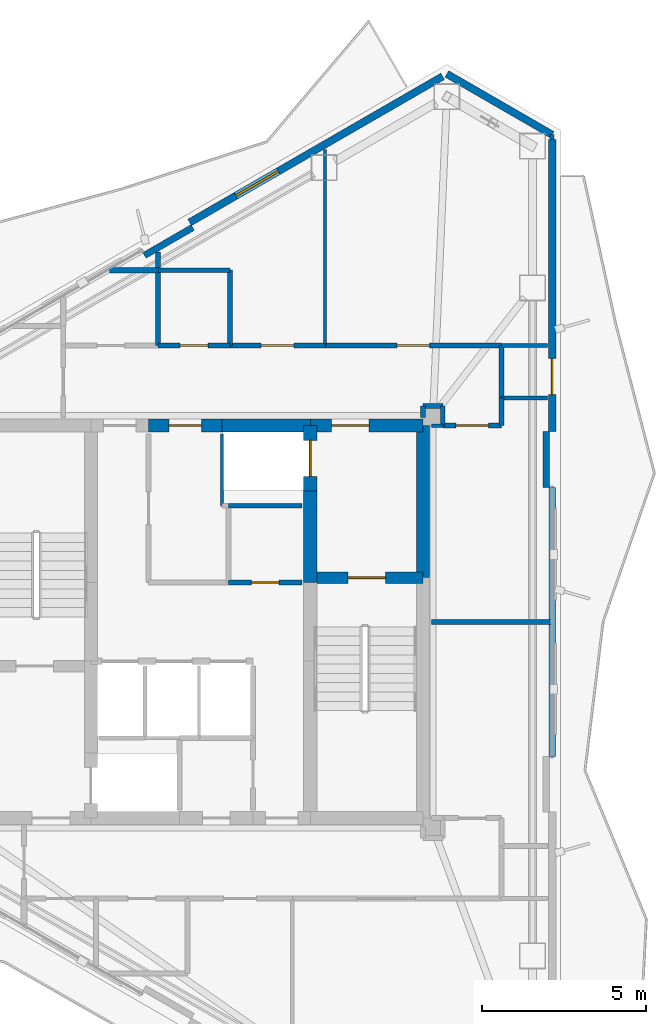
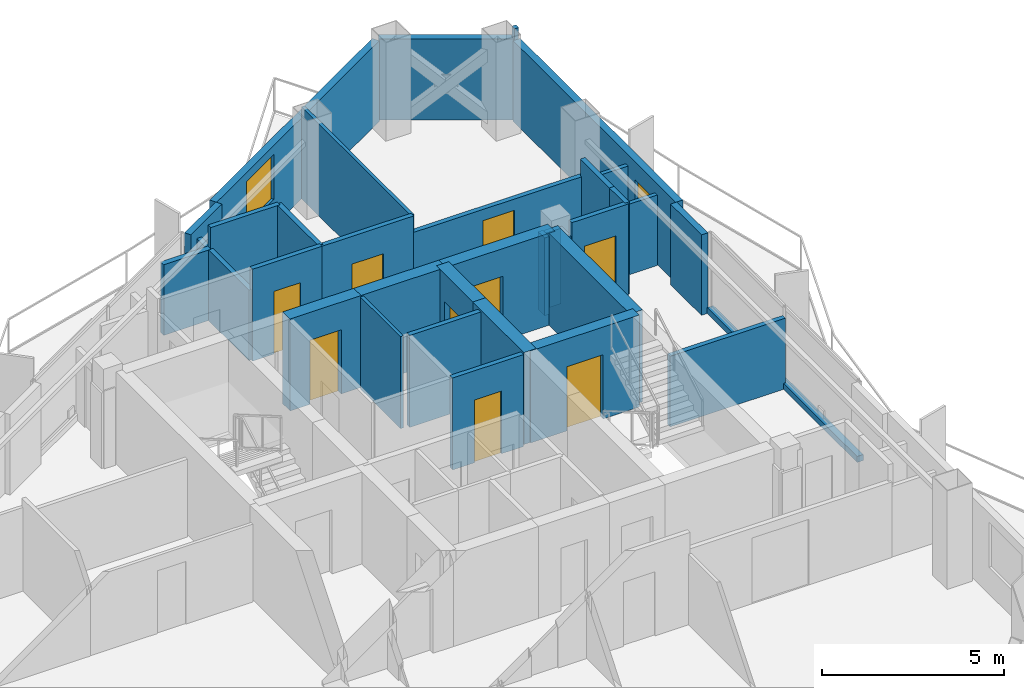
# One storey, part 16 of 18: 35 walls, 10 doors, 1 window, 11 openings.
"""IFC4 building model written with IfcOpenShell, lengths in metres."""

from ifc_helpers import new_model, si_unit, direction, frame, frame_2d, origin, place, context, subcontext, project, spatial, rectangle, extrude, material, layer, layer_set, type_object, element, fill, save


model = new_model("IFC4")

# Units and contexts
model_context = context("Model", 3, precision=1e-05, world=origin(), true_north=direction((0.0, 1.0)))
body_context = subcontext(model_context, "Body", "Model", "MODEL_VIEW")
ifc_project = project(units=[si_unit("LENGTHUNIT", "METRE"), si_unit("AREAUNIT", "SQUARE_METRE"), si_unit("VOLUMEUNIT", "CUBIC_METRE"), si_unit("PLANEANGLEUNIT", "RADIAN"), si_unit("MASSUNIT", "GRAM", prefix="KILO")], contexts=[model_context])

# Site, building, storey
site_placement = place(None, origin())
site = spatial("IfcSite", under=ifc_project, at=site_placement, CompositionType="ELEMENT")
building_placement = place(site_placement, origin())
building = spatial("IfcBuilding", under=site, at=building_placement, Name="Mersakhor Tower and Convention Hall", CompositionType="ELEMENT")
storey_placement = place(building_placement, frame((0.0, 0.0, 239.699951171875)))
storey = spatial("IfcBuildingStorey", under=building, at=storey_placement, Name="L67", CompositionType="ELEMENT", Elevation=239.699951171875)

# Wall
ifc_material_1 = material(Name="Precast concrete C40/50", Category="concrete")
ifc_layer_1 = layer(ifc_material_1, 0.22509765625)
ifc_layer_set_1 = layer_set([ifc_layer_1], Name="Precast concrete C40/50")
wall_type_1 = type_object("IfcWallType", Name="WL-EXT-225", PredefinedType="SOLIDWALL", material=ifc_layer_set_1)
wall_1_placement = place(storey_placement, frame((36.525146484375, 43.49951171875, 0.0), z_axis=(0.0, 0.0, 1.0), x_axis=(0.866038962515, -0.499976514854, 0.0)))
element("IfcWall", 1, at=wall_1_placement, inside=storey, type_object=wall_type_1, Name="L67 Chamfer Braced Spandrel Wall C1", PredefinedType="SOLIDWALL", context=body_context, shape_type="SweptSolid", body=[
    extrude(rectangle(XDim=3.715576171875, YDim=0.22509765625, at=frame_2d((1.85791015625, 0.0))), origin(), (0.0, 0.0, 1.0), 2.699951171875),
])

# Wall, opening, window
wall_2_placement = place(storey_placement, frame((28.66357421875, 38.96044921875, 0.0), z_axis=(0.0, 0.0, 1.0), x_axis=(0.866026655105, 0.499997832642, 0.0)))
wall_2 = element("IfcWall", 2, at=wall_2_placement, inside=storey, type_object=wall_type_1, Name="L67 Exterior Facade Wall F1-B3", PredefinedType="SOLIDWALL", context=body_context, shape_type="SweptSolid", body=[
    extrude(rectangle(XDim=8.927734375, YDim=0.22509765625, at=frame_2d((4.4638671875, 0.0))), origin(), (0.0, 0.0, 1.0), 2.699951171875),
])
opening_1_placement = place(wall_2_placement, frame((1.634033203125, 0.0, 0.89990234375)))
opening_1 = element("IfcOpeningElement", 3, at=opening_1_placement, cuts=wall_2, Name="Opening W-02", PredefinedType="OPENING", context=body_context, shape_type="SweptSolid", body=[
    extrude(rectangle(XDim=1.5, YDim=1.5, at=frame_2d((0.75, 0.75))), frame((0.0, 0.12255859375, 0.0), z_axis=(0.0, -1.0, 0.0), x_axis=(1.0, 0.0, 0.0)), (0.0, 0.0, 1.0), 0.2451171875),
])
ifc_material_2 = material(Name="Dark solar low-E glazed aluminium window", Category="aluminium")
window_type = type_object("IfcWindowType", Name="WN-RES-150x150", PartitioningType="SINGLE_PANEL", PredefinedType="WINDOW", material=ifc_material_2)
window_placement = place(opening_1_placement, origin())
window = element("IfcWindow", 4, at=window_placement, inside=storey, type_object=window_type, Name="L67 Facade Punched Window F1-B3", OverallHeight=1.5, OverallWidth=1.5, PartitioningType="SINGLE_PANEL", PredefinedType="WINDOW", context=body_context, shape_type="SweptSolid", body=[
    extrude(rectangle(XDim=1.5, YDim=1.5, at=frame_2d((0.75, 0.75))), frame((0.0, 0.030029296875, 0.0), z_axis=(0.0, -1.0, 0.0), x_axis=(1.0, 0.0, 0.0)), (0.0, 0.0, 1.0), 0.06005859375),
])
fill(opening_1, window)

# Wall, opening, door
wall_3_placement = place(storey_placement, frame((39.742919921875, 41.49169921875, 0.0), z_axis=(0.0, 0.0, 1.0), x_axis=(0.0, -1.0, 0.0)))
wall_3 = element("IfcWall", 5, at=wall_3_placement, inside=storey, type_object=wall_type_1, Name="L67 Exterior Facade Wall F2-B1", PredefinedType="SOLIDWALL", context=body_context, shape_type="SweptSolid", body=[
    extrude(rectangle(XDim=8.927734375, YDim=0.22509765625, at=frame_2d((4.4638671875, 0.0))), origin(), (0.0, 0.0, 1.0), 2.699951171875),
])
opening_2_placement = place(wall_3_placement, frame((6.696044921875, 0.0, 0.0)))
opening_2 = element("IfcOpeningElement", 6, at=opening_2_placement, cuts=wall_3, Name="Opening BD-02", PredefinedType="OPENING", context=body_context, shape_type="SweptSolid", body=[
    extrude(rectangle(XDim=1.10009765625, YDim=2.10009765625, at=frame_2d((0.550048828125, 1.050048828125))), frame((0.0, 0.12255859375, 0.0), z_axis=(0.0, -1.0, 0.0), x_axis=(1.0, 0.0, 0.0)), (0.0, 0.0, 1.0), 0.2451171875),
])
ifc_material_3 = material(Name="Thermally broken dark aluminium and safety glass", Category="aluminium")
door_type_1 = type_object("IfcDoorType", Name="DR-BAL-110x210", OperationType="NOTDEFINED", PredefinedType="DOOR", material=ifc_material_3)
door_1_placement = place(opening_2_placement, origin())
door_1 = element("IfcDoor", 7, at=door_1_placement, inside=storey, type_object=door_type_1, Name="L67 Balcony Terrace Door F2-B1", OperationType="SINGLE_SWING_RIGHT", OverallHeight=2.10009765625, OverallWidth=1.10009765625, PredefinedType="DOOR", context=body_context, shape_type="SweptSolid", body=[
    extrude(rectangle(XDim=1.10009765625, YDim=2.10009765625, at=frame_2d((0.550048828125, 1.050048828125))), frame((0.0, 0.02490234375, 0.0), z_axis=(0.0, -1.0, 0.0), x_axis=(1.0, 0.0, 0.0)), (0.0, 0.0, 1.0), 0.050048828125),
])
fill(opening_2, door_1)

# Walls
ifc_material_4 = material(Name="Precast concrete C40/50", Category="concrete")
ifc_layer_2 = layer(ifc_material_4, 0.199951171875)
ifc_layer_set_2 = layer_set([ifc_layer_2], Name="Precast concrete C40/50")
wall_type_2 = type_object("IfcWallType", Name="WL-PAR-200", PredefinedType="PARAPET", material=ifc_layer_set_2)
wall_4_placement = place(storey_placement, frame((27.28125, 37.95458984375, 0.0), z_axis=(0.0, 0.0, 1.0), x_axis=(0.866025371046, 0.500000056704, 0.0)))
element("IfcWall", 8, at=wall_4_placement, inside=storey, type_object=wall_type_2, Name="L67 Column Pier Cladding Wall F1-C2", PredefinedType="PARAPET", context=body_context, shape_type="SweptSolid", body=[
    extrude(rectangle(XDim=1.7001953125, YDim=0.199951171875, at=frame_2d((0.85009765625, 0.0))), origin(), (0.0, 0.0, 1.0), 2.699951171875),
])
wall_5_placement = place(storey_placement, frame((39.742919921875, 30.864013671875, 0.0), z_axis=(0.0, 0.0, 1.0), x_axis=(0.0, -1.0, 0.0)))
element("IfcWall", 9, at=wall_5_placement, inside=storey, type_object=wall_type_2, Name="L67 Curtain Wall Upstand Sill F2-B2", PredefinedType="PARAPET", context=body_context, shape_type="SweptSolid", body=[
    extrude(rectangle(XDim=8.22802734375, YDim=0.199951171875, at=frame_2d((4.114013671875, 0.0))), origin(), (0.0, 0.0, 1.0), 0.199951171875),
])
wall_6_placement = place(storey_placement, frame((39.562744140625, 32.56396484375, 0.0), z_axis=(0.0, 0.0, 1.0), x_axis=(0.0, -1.0, 0.0)))
element("IfcWall", 10, at=wall_6_placement, inside=storey, type_object=wall_type_2, Name="L67 Column Pier Cladding Wall F2-C1", PredefinedType="PARAPET", context=body_context, shape_type="SweptSolid", body=[
    extrude(rectangle(XDim=1.699951171875, YDim=0.199951171875, at=frame_2d((0.85009765625, 0.0))), origin(), (0.0, 0.0, 1.0), 2.699951171875),
])
ifc_material_5 = material(Name="Moisture-resistant acoustic drywall studwork", Category="other")
ifc_layer_3 = layer(ifc_material_5, 0.175048828125)
ifc_layer_set_3 = layer_set([ifc_layer_3], Name="Moisture-resistant acoustic drywall studwork")
wall_type_3 = type_object("IfcWallType", Name="WL-PLM-175", PredefinedType="PLUMBINGWALL", material=ifc_layer_set_3)
wall_7_placement = place(storey_placement, frame((26.20654296875, 37.5, 0.0), z_axis=(0.0, 0.0, 1.0), x_axis=(1.0, 0.0, 0.0)))
element("IfcWall", 11, at=wall_7_placement, inside=storey, type_object=wall_type_3, Name="L67 Interior Partition Wall P-041", PredefinedType="PLUMBINGWALL", context=body_context, shape_type="SweptSolid", body=[
    extrude(rectangle(XDim=1.493408203125, YDim=0.175048828125, at=frame_2d((0.74658203125, 0.0))), origin(), (0.0, 0.0, 1.0), 2.364990234375),
])
ifc_material_6 = material(Name="Lightweight gypsum partition", Category="other")
ifc_layer_4 = layer(ifc_material_6, 0.10009765625)
ifc_layer_set_4 = layer_set([ifc_layer_4], Name="Lightweight gypsum partition")
wall_type_4 = type_object("IfcWallType", Name="WL-PRT-100", PredefinedType="PARTITIONING", material=ifc_layer_set_4)
wall_8_placement = place(storey_placement, frame((29.64990234375, 30.300048828125, 0.0), z_axis=(0.0, 0.0, 1.0), x_axis=(0.0, 1.0, 0.0)))
element("IfcWall", 12, at=wall_8_placement, inside=storey, type_object=wall_type_4, Name="L67 Interior Partition Wall P-006", PredefinedType="PARTITIONING", context=body_context, shape_type="SweptSolid", body=[
    extrude(rectangle(XDim=2.199951171875, YDim=0.10009765625, at=frame_2d((1.10009765625, 0.0))), origin(), (0.0, 0.0, 1.0), 3.080078125),
])
wall_9_placement = place(storey_placement, frame((32.800048828125, 35.199951171875, 0.0), z_axis=(0.0, 0.0, 1.0), x_axis=(0.0, 1.0, 0.0)))
element("IfcWall", 13, at=wall_9_placement, inside=storey, type_object=wall_type_4, Name="L67 Interior Partition Wall P-046", PredefinedType="PARTITIONING", context=body_context, shape_type="SweptSolid", body=[
    extrude(rectangle(XDim=5.990966796875, YDim=0.10009765625, at=frame_2d((2.99560546875, 0.0))), origin(), (0.0, 0.0, 1.0), 3.080078125),
])
wall_10_placement = place(storey_placement, frame((36.050048828125, 32.75, 0.0), z_axis=(0.0, 0.0, 1.0), x_axis=(1.0, 0.0, 0.0)))
element("IfcWall", 14, at=wall_10_placement, inside=storey, type_object=wall_type_4, Name="L67 Interior Partition Wall P-054", PredefinedType="PARTITIONING", context=body_context, shape_type="SweptSolid", body=[
    extrude(rectangle(XDim=0.349853515625, YDim=0.10009765625, at=frame_2d((0.1748046875, 0.0))), origin(), (0.0, 0.0, 1.0), 2.60498046875),
])
ifc_material_7 = material(Name="Gypsum board acoustic partition", Category="other")
ifc_layer_5 = layer(ifc_material_7, 0.125)
ifc_layer_set_5 = layer_set([ifc_layer_5], Name="Gypsum board acoustic partition")
wall_type_5 = type_object("IfcWallType", Name="WL-PRT-125", PredefinedType="PARTITIONING", material=ifc_layer_set_5)
wall_11_placement = place(storey_placement, frame((39.606201171875, 35.199951171875, 0.0), z_axis=(0.0, 0.0, 1.0), x_axis=(-1.0, 0.0, 0.0)))
element("IfcWall", 15, at=wall_11_placement, inside=storey, type_object=wall_type_5, Name="L67 Interior Partition Wall P-045", PredefinedType="PARTITIONING", context=body_context, shape_type="SweptSolid", body=[
    extrude(rectangle(XDim=1.40625, YDim=0.125, at=frame_2d((0.703125, 0.0))), origin(), (0.0, 0.0, 1.0), 2.364990234375),
])
wall_12_placement = place(storey_placement, frame((39.742919921875, 41.64208984375, 0.0), z_axis=(0.0, 0.0, 1.0), x_axis=(0.0, -1.0, 0.0)))
element("IfcWall", 16, at=wall_12_placement, inside=storey, type_object=wall_type_5, Name="L67 Interior Partition Wall P-047", PredefinedType="PARTITIONING", context=body_context, shape_type="SweptSolid", body=[
    extrude(rectangle(XDim=0.150390625, YDim=0.125, at=frame_2d((0.0751953125, 0.0))), origin(), (0.0, 0.0, 1.0), 3.080078125),
])
wall_13_placement = place(storey_placement, frame((38.199951171875, 33.60009765625, 0.0), z_axis=(0.0, 0.0, 1.0), x_axis=(1.0, 0.0, 0.0)))
element("IfcWall", 17, at=wall_13_placement, inside=storey, type_object=wall_type_5, Name="L67 Interior Partition Wall P-055", PredefinedType="PARTITIONING", context=body_context, shape_type="SweptSolid", body=[
    extrude(rectangle(XDim=1.40625, YDim=0.125, at=frame_2d((0.703125, 0.0))), origin(), (0.0, 0.0, 1.0), 2.364990234375),
])
ifc_material_8 = material(Name="Fire-rated gypsum board stud partition", Category="other")
ifc_layer_6 = layer(ifc_material_8, 0.14990234375)
ifc_layer_set_6 = layer_set([ifc_layer_6], Name="Fire-rated gypsum board stud partition")
wall_type_6 = type_object("IfcWallType", Name="WL-PRT-150", PredefinedType="PARTITIONING", material=ifc_layer_set_6)
wall_14_placement = place(storey_placement, frame((32.10009765625, 30.300048828125, 0.0), z_axis=(0.0, 0.0, 1.0), x_axis=(-1.0, 0.0, 0.0)))
element("IfcWall", 18, at=wall_14_placement, inside=storey, type_object=wall_type_6, Name="L67 Interior Partition Wall P-004", PredefinedType="PARTITIONING", context=body_context, shape_type="SweptSolid", body=[
    extrude(rectangle(XDim=2.25, YDim=0.14990234375, at=frame_2d((1.125, 0.0))), origin(), (0.0, 0.0, 1.0), 3.080078125),
])

# Wall, opening, door
wall_15_placement = place(storey_placement, frame((29.85009765625, 27.949951171875, 0.0), z_axis=(0.0, 0.0, 1.0), x_axis=(1.0, 0.0, 0.0)))
wall_15 = element("IfcWall", 19, at=wall_15_placement, inside=storey, type_object=wall_type_6, Name="L67 Interior Partition Wall P-015", PredefinedType="PARTITIONING", context=body_context, shape_type="SweptSolid", body=[
    extrude(rectangle(XDim=2.25, YDim=0.14990234375, at=frame_2d((1.125, 0.0))), origin(), (0.0, 0.0, 1.0), 3.080078125),
])
opening_3_placement = place(wall_15_placement, frame((0.699951171875, 0.0, 0.0)))
opening_3 = element("IfcOpeningElement", 20, at=opening_3_placement, cuts=wall_15, Name="Opening SVD-01", PredefinedType="OPENING", context=body_context, shape_type="SweptSolid", body=[
    extrude(rectangle(XDim=0.85009765625, YDim=2.10009765625, at=frame_2d((0.425048828125, 1.050048828125))), frame((0.0, 0.0849609375, 0.0), z_axis=(0.0, -1.0, 0.0), x_axis=(1.0, 0.0, 0.0)), (0.0, 0.0, 1.0), 0.169921875),
])
ifc_material_9 = material(Name="Fire-rated hardwood leaf and painted steel frame", Category="steel")
door_type_2 = type_object("IfcDoorType", Name="DR-INT-SVC-085x210", OperationType="NOTDEFINED", PredefinedType="DOOR", material=ifc_material_9)
door_2_placement = place(opening_3_placement, origin())
door_2 = element("IfcDoor", 21, at=door_2_placement, inside=storey, type_object=door_type_2, Name="L67 Central Passenger Lift Lobby to Resident Pram and Linen Store Room Door", OperationType="SINGLE_SWING_RIGHT", OverallHeight=2.10009765625, OverallWidth=0.85009765625, PredefinedType="DOOR", context=body_context, shape_type="SweptSolid", body=[
    extrude(rectangle(XDim=0.85009765625, YDim=2.10009765625, at=frame_2d((0.425048828125, 1.050048828125))), frame((0.0, 0.02490234375, 0.0), z_axis=(0.0, -1.0, 0.0), x_axis=(1.0, 0.0, 0.0)), (0.0, 0.0, 1.0), 0.050048828125),
])
fill(opening_3, door_2)

wall_16_placement = place(storey_placement, frame((27.699951171875, 35.199951171875, 0.0), z_axis=(0.0, 0.0, 1.0), x_axis=(1.0, 0.0, 0.0)))
wall_16 = element("IfcWall", 22, at=wall_16_placement, inside=storey, type_object=wall_type_6, Name="L67 Interior Partition Wall P-017", PredefinedType="PARTITIONING", context=body_context, shape_type="SweptSolid", body=[
    extrude(rectangle(XDim=2.199951171875, YDim=0.14990234375, at=frame_2d((1.10009765625, 0.0))), origin(), (0.0, 0.0, 1.0), 3.080078125),
])
opening_4_placement = place(wall_16_placement, frame((0.675048828125, 0.0, 0.0)))
opening_4 = element("IfcOpeningElement", 23, at=opening_4_placement, cuts=wall_16, Name="Opening SVD-01", PredefinedType="OPENING", context=body_context, shape_type="SweptSolid", body=[
    extrude(rectangle(XDim=0.85009765625, YDim=2.10009765625, at=frame_2d((0.425048828125, 1.050048828125))), frame((0.0, 0.0849609375, 0.0), z_axis=(0.0, -1.0, 0.0), x_axis=(1.0, 0.0, 0.0)), (0.0, 0.0, 1.0), 0.169921875),
])
door_3_placement = place(opening_4_placement, origin())
door_3 = element("IfcDoor", 24, at=door_3_placement, inside=storey, type_object=door_type_2, Name="L67 Residential North Gallery Corridor to L67 Floor Household Store Room 1-2 Door", OperationType="SINGLE_SWING_RIGHT", OverallHeight=2.10009765625, OverallWidth=0.85009765625, PredefinedType="DOOR", context=body_context, shape_type="SweptSolid", body=[
    extrude(rectangle(XDim=0.85009765625, YDim=2.10009765625, at=frame_2d((0.425048828125, 1.050048828125))), frame((0.0, 0.02490234375, 0.0), z_axis=(0.0, -1.0, 0.0), x_axis=(1.0, 0.0, 0.0)), (0.0, 0.0, 1.0), 0.050048828125),
])
fill(opening_4, door_3)

wall_17_placement = place(storey_placement, frame((29.89990234375, 35.199951171875, 0.0), z_axis=(0.0, 0.0, 1.0), x_axis=(1.0, 0.0, 0.0)))
wall_17 = element("IfcWall", 25, at=wall_17_placement, inside=storey, type_object=wall_type_6, Name="L67 Interior Partition Wall P-018", PredefinedType="PARTITIONING", context=body_context, shape_type="SweptSolid", body=[
    extrude(rectangle(XDim=2.900146484375, YDim=0.14990234375, at=frame_2d((1.4501953125, 0.0))), origin(), (0.0, 0.0, 1.0), 3.080078125),
])
opening_5_placement = place(wall_17_placement, frame((0.949951171875, 0.0, 0.0)))
opening_5 = element("IfcOpeningElement", 26, at=opening_5_placement, cuts=wall_17, Name="Opening FD-01", PredefinedType="OPENING", context=body_context, shape_type="SweptSolid", body=[
    extrude(rectangle(XDim=1.0, YDim=2.14990234375, at=frame_2d((0.5, 1.074951171875))), frame((0.0, 0.0849609375, 0.0), z_axis=(0.0, -1.0, 0.0), x_axis=(1.0, 0.0, 0.0)), (0.0, 0.0, 1.0), 0.169921875),
])
ifc_material_10 = material(Name="Fire-rated hardwood leaf and painted steel frame", Category="steel")
door_type_3 = type_object("IfcDoorType", Name="DR-INT-FLT-100x215", OperationType="NOTDEFINED", PredefinedType="DOOR", material=ifc_material_10)
door_4_placement = place(opening_5_placement, origin())
door_4 = element("IfcDoor", 27, at=door_4_placement, inside=storey, type_object=door_type_3, Name="L67 Residential North Gallery Corridor to L67 Floor Shared Tea Pantry 1-3 Door", OperationType="SINGLE_SWING_LEFT", OverallHeight=2.14990234375, OverallWidth=1.0, PredefinedType="DOOR", context=body_context, shape_type="SweptSolid", body=[
    extrude(rectangle(XDim=1.0, YDim=2.14990234375, at=frame_2d((0.5, 1.074951171875))), frame((0.0, 0.02490234375, 0.0), z_axis=(0.0, -1.0, 0.0), x_axis=(1.0, 0.0, 0.0)), (0.0, 0.0, 1.0), 0.050048828125),
])
fill(opening_5, door_4)

wall_18_placement = place(storey_placement, frame((32.800048828125, 35.199951171875, 0.0), z_axis=(0.0, 0.0, 1.0), x_axis=(1.0, 0.0, 0.0)))
wall_18 = element("IfcWall", 28, at=wall_18_placement, inside=storey, type_object=wall_type_6, Name="L67 Interior Partition Wall P-019", PredefinedType="PARTITIONING", context=body_context, shape_type="SweptSolid", body=[
    extrude(rectangle(XDim=5.39990234375, YDim=0.14990234375, at=frame_2d((2.699951171875, 0.0))), origin(), (0.0, 0.0, 1.0), 2.5283203125),
])
opening_6_placement = place(wall_18_placement, frame((2.199951171875, 0.0, 0.0)))
opening_6 = element("IfcOpeningElement", 29, at=opening_6_placement, cuts=wall_18, Name="Opening FD-01", PredefinedType="OPENING", context=body_context, shape_type="SweptSolid", body=[
    extrude(rectangle(XDim=1.0, YDim=2.14990234375, at=frame_2d((0.5, 1.074951171875))), frame((0.0, 0.0849609375, 0.0), z_axis=(0.0, -1.0, 0.0), x_axis=(1.0, 0.0, 0.0)), (0.0, 0.0, 1.0), 0.169921875),
])
door_5_placement = place(opening_6_placement, origin())
door_5 = element("IfcDoor", 30, at=door_5_placement, inside=storey, type_object=door_type_3, Name="L67 Residential North Gallery Corridor to L67 North-East Co-Working Office Door", OperationType="SINGLE_SWING_RIGHT", OverallHeight=2.14990234375, OverallWidth=1.0, PredefinedType="DOOR", context=body_context, shape_type="SweptSolid", body=[
    extrude(rectangle(XDim=1.0, YDim=2.14990234375, at=frame_2d((0.5, 1.074951171875))), frame((0.0, 0.02490234375, 0.0), z_axis=(0.0, -1.0, 0.0), x_axis=(1.0, 0.0, 0.0)), (0.0, 0.0, 1.0), 0.050048828125),
])
fill(opening_6, door_5)

# Walls
wall_19_placement = place(storey_placement, frame((38.199951171875, 35.199951171875, 0.0), z_axis=(0.0, 0.0, 1.0), x_axis=(0.0, -1.0, 0.0)))
element("IfcWall", 31, at=wall_19_placement, inside=storey, type_object=wall_type_6, Name="L67 Interior Partition Wall P-020", PredefinedType="PARTITIONING", context=body_context, shape_type="SweptSolid", body=[
    extrude(rectangle(XDim=1.599853515625, YDim=0.14990234375, at=frame_2d((0.7998046875, 0.0))), origin(), (0.0, 0.0, 1.0), 3.080078125),
])
wall_20_placement = place(storey_placement, frame((38.199951171875, 33.60009765625, 0.0), z_axis=(0.0, 0.0, 1.0), x_axis=(0.0, -1.0, 0.0)))
element("IfcWall", 32, at=wall_20_placement, inside=storey, type_object=wall_type_6, Name="L67 Interior Partition Wall P-021", PredefinedType="PARTITIONING", context=body_context, shape_type="SweptSolid", body=[
    extrude(rectangle(XDim=0.85009765625, YDim=0.14990234375, at=frame_2d((0.425048828125, 0.0))), origin(), (0.0, 0.0, 1.0), 3.080078125),
])

# Wall, opening, door
wall_21_placement = place(storey_placement, frame((38.199951171875, 32.75, 0.0), z_axis=(0.0, 0.0, 1.0), x_axis=(-1.0, 0.0, 0.0)))
wall_21 = element("IfcWall", 33, at=wall_21_placement, inside=storey, type_object=wall_type_6, Name="L67 Interior Partition Wall P-022", PredefinedType="PARTITIONING", context=body_context, shape_type="SweptSolid", body=[
    extrude(rectangle(XDim=1.800048828125, YDim=0.14990234375, at=frame_2d((0.89990234375, 0.0))), origin(), (0.0, 0.0, 1.0), 3.080078125),
])
opening_7_placement = place(wall_21_placement, frame((0.39990234375, 0.0, 0.0)))
opening_7 = element("IfcOpeningElement", 34, at=opening_7_placement, cuts=wall_21, Name="Opening FD-01", PredefinedType="OPENING", context=body_context, shape_type="SweptSolid", body=[
    extrude(rectangle(XDim=1.0, YDim=2.14990234375, at=frame_2d((0.5, 1.074951171875))), frame((0.0, 0.0849609375, 0.0), z_axis=(0.0, -1.0, 0.0), x_axis=(1.0, 0.0, 0.0)), (0.0, 0.0, 1.0), 0.169921875),
])
door_6_placement = place(opening_7_placement, origin())
door_6 = element("IfcDoor", 35, at=door_6_placement, inside=storey, type_object=door_type_3, Name="L67 Residential North Gallery Corridor to L67 East Crown Sky Study Lounge Door", OperationType="SINGLE_SWING_LEFT", OverallHeight=2.14990234375, OverallWidth=1.0, PredefinedType="DOOR", context=body_context, shape_type="SweptSolid", body=[
    extrude(rectangle(XDim=1.0, YDim=2.14990234375, at=frame_2d((0.5, 1.074951171875))), frame((0.0, 0.02490234375, 0.0), z_axis=(0.0, -1.0, 0.0), x_axis=(1.0, 0.0, 0.0)), (0.0, 0.0, 1.0), 0.050048828125),
])
fill(opening_7, door_6)

# Walls
wall_22_placement = place(storey_placement, frame((36.39990234375, 32.75, 0.0), z_axis=(0.0, 0.0, 1.0), x_axis=(0.0, 1.0, 0.0)))
element("IfcWall", 36, at=wall_22_placement, inside=storey, type_object=wall_type_6, Name="L67 Interior Partition Wall P-023", PredefinedType="PARTITIONING", context=body_context, shape_type="SweptSolid", body=[
    extrude(rectangle(XDim=0.60009765625, YDim=0.14990234375, at=frame_2d((0.300048828125, 0.0))), origin(), (0.0, 0.0, 1.0), 2.5283203125),
])
wall_23_placement = place(storey_placement, frame((36.39990234375, 33.35009765625, 0.0), z_axis=(0.0, 0.0, 1.0), x_axis=(-1.0, 0.0, 0.0)))
element("IfcWall", 37, at=wall_23_placement, inside=storey, type_object=wall_type_6, Name="L67 Interior Partition Wall P-024", PredefinedType="PARTITIONING", context=body_context, shape_type="SweptSolid", body=[
    extrude(rectangle(XDim=0.599853515625, YDim=0.14990234375, at=frame_2d((0.2998046875, 0.0))), origin(), (0.0, 0.0, 1.0), 2.5283203125),
])
wall_24_placement = place(storey_placement, frame((35.800048828125, 33.35009765625, 0.0), z_axis=(0.0, 0.0, 1.0), x_axis=(0.0, -1.0, 0.0)))
element("IfcWall", 38, at=wall_24_placement, inside=storey, type_object=wall_type_6, Name="L67 Interior Partition Wall P-025", PredefinedType="PARTITIONING", context=body_context, shape_type="SweptSolid", body=[
    extrude(rectangle(XDim=0.35009765625, YDim=0.14990234375, at=frame_2d((0.175048828125, 0.0))), origin(), (0.0, 0.0, 1.0), 2.60498046875),
])
wall_25_placement = place(storey_placement, frame((27.699951171875, 38.052978515625, 0.0), z_axis=(0.0, 0.0, 1.0), x_axis=(0.0, -1.0, 0.0)))
element("IfcWall", 39, at=wall_25_placement, inside=storey, type_object=wall_type_6, Name="L67 Interior Partition Wall P-038", PredefinedType="PARTITIONING", context=body_context, shape_type="SweptSolid", body=[
    extrude(rectangle(XDim=2.85302734375, YDim=0.14990234375, at=frame_2d((1.426513671875, 0.0))), origin(), (0.0, 0.0, 1.0), 2.364990234375),
])
wall_26_placement = place(storey_placement, frame((39.702880859375, 26.75, 0.0), z_axis=(0.0, 0.0, 1.0), x_axis=(-1.0, 0.0, 0.0)))
element("IfcWall", 40, at=wall_26_placement, inside=storey, type_object=wall_type_6, Name="L67 Interior Partition Wall P-056", PredefinedType="PARTITIONING", context=body_context, shape_type="SweptSolid", body=[
    extrude(rectangle(XDim=3.65283203125, YDim=0.14990234375, at=frame_2d((1.826416015625, 0.0))), origin(), (0.0, 0.0, 1.0), 2.364990234375),
])
wall_27_placement = place(storey_placement, frame((27.699951171875, 37.5, 0.0), z_axis=(0.0, 0.0, 1.0), x_axis=(1.0, 0.0, 0.0)))
element("IfcWall", 41, at=wall_27_placement, inside=storey, type_object=wall_type_6, Name="L67 Interior Partition Wall P-059", PredefinedType="PARTITIONING", context=body_context, shape_type="SweptSolid", body=[
    extrude(rectangle(XDim=2.199951171875, YDim=0.14990234375, at=frame_2d((1.10009765625, 0.0))), origin(), (0.0, 0.0, 1.0), 3.080078125),
])
wall_28_placement = place(storey_placement, frame((29.89990234375, 37.5, 0.0), z_axis=(0.0, 0.0, 1.0), x_axis=(0.0, -1.0, 0.0)))
element("IfcWall", 42, at=wall_28_placement, inside=storey, type_object=wall_type_6, Name="L67 Interior Partition Wall P-060", PredefinedType="PARTITIONING", context=body_context, shape_type="SweptSolid", body=[
    extrude(rectangle(XDim=2.300048828125, YDim=0.14990234375, at=frame_2d((1.14990234375, 0.0))), origin(), (0.0, 0.0, 1.0), 3.080078125),
])

# Wall, opening, door
ifc_material_11 = material(Name="Concrete C50/60", Category="concrete")
ifc_layer_7 = layer(ifc_material_11, 0.35009765625)
ifc_layer_set_7 = layer_set([ifc_layer_7], Name="Concrete C50/60")
wall_type_7 = type_object("IfcWallType", Name="WL-SHR-350", PredefinedType="SHEAR", material=ifc_layer_set_7)
wall_29_placement = place(storey_placement, frame((32.35009765625, 28.10009765625, 0.0), z_axis=(0.0, 0.0, 1.0), x_axis=(1.0, 0.0, 0.0)))
wall_29 = element("IfcWall", 43, at=wall_29_placement, inside=storey, type_object=wall_type_7, Name="L67 Core Wall CS-ST2-N", PredefinedType="SHEAR", context=body_context, shape_type="SweptSolid", body=[
    extrude(rectangle(XDim=3.449951171875, YDim=0.35009765625, at=frame_2d((1.72509765625, 0.0))), origin(), (0.0, 0.0, 1.0), 3.080078125),
])
opening_8_placement = place(wall_29_placement, frame((1.14990234375, 0.0, 0.0)))
opening_8 = element("IfcOpeningElement", 44, at=opening_8_placement, cuts=wall_29, Name="Opening SD-01", PredefinedType="OPENING", context=body_context, shape_type="SweptSolid", body=[
    extrude(rectangle(XDim=1.14990234375, YDim=2.14990234375, at=frame_2d((0.574951171875, 1.074951171875))), frame((0.0, 0.18505859375, 0.0), z_axis=(0.0, -1.0, 0.0), x_axis=(1.0, 0.0, 0.0)), (0.0, 0.0, 1.0), 0.3701171875),
])
ifc_material_12 = material(Name="Fire-rated hardwood leaf and painted steel frame", Category="steel")
door_type_4 = type_object("IfcDoorType", Name="DR-INT-STAIR-115x215", OperationType="NOTDEFINED", PredefinedType="DOOR", material=ifc_material_12)
door_7_placement = place(opening_8_placement, origin())
door_7 = element("IfcDoor", 45, at=door_7_placement, inside=storey, type_object=door_type_4, Name="L67 Exit Stair ST-2 Enclosure Door", OperationType="SINGLE_SWING_RIGHT", OverallHeight=2.14990234375, OverallWidth=1.14990234375, PredefinedType="DOOR", context=body_context, shape_type="SweptSolid", body=[
    extrude(rectangle(XDim=1.14990234375, YDim=2.14990234375, at=frame_2d((0.574951171875, 1.074951171875))), frame((0.0, 0.02490234375, 0.0), z_axis=(0.0, -1.0, 0.0), x_axis=(1.0, 0.0, 0.0)), (0.0, 0.0, 1.0), 0.050048828125),
])
fill(opening_8, door_7)

ifc_material_13 = material(Name="Concrete C60/75", Category="concrete")
ifc_layer_8 = layer(ifc_material_13, 0.39990234375)
ifc_layer_set_8 = layer_set([ifc_layer_8], Name="Concrete C60/75")
wall_type_8 = type_object("IfcWallType", Name="WL-SHR-400", PredefinedType="SHEAR", material=ifc_layer_set_8)
wall_30_placement = place(storey_placement, frame((27.39990234375, 32.75, 0.0), z_axis=(0.0, 0.0, 1.0), x_axis=(1.0, 0.0, 0.0)))
wall_30 = element("IfcWall", 46, at=wall_30_placement, inside=storey, type_object=wall_type_8, Name="L67 Core Wall CW-N2B", PredefinedType="SHEAR", context=body_context, shape_type="SweptSolid", body=[
    extrude(rectangle(XDim=2.25, YDim=0.39990234375, at=frame_2d((1.125, 0.0))), origin(), (0.0, 0.0, 1.0), 3.080078125),
])
opening_9_placement = place(wall_30_placement, frame((0.625, 0.0, 0.0)))
opening_9 = element("IfcOpeningElement", 47, at=opening_9_placement, cuts=wall_30, Name="Opening FD-01", PredefinedType="OPENING", context=body_context, shape_type="SweptSolid", body=[
    extrude(rectangle(XDim=1.0, YDim=2.14990234375, at=frame_2d((0.5, 1.074951171875))), frame((0.0, 0.2099609375, 0.0), z_axis=(0.0, -1.0, 0.0), x_axis=(1.0, 0.0, 0.0)), (0.0, 0.0, 1.0), 0.419921875),
])
door_8_placement = place(opening_9_placement, origin())
door_8 = element("IfcDoor", 48, at=door_8_placement, inside=storey, type_object=door_type_3, Name="L67 Residential North Gallery Corridor to Communal Resident Laundry Room Door", OperationType="SINGLE_SWING_LEFT", OverallHeight=2.14990234375, OverallWidth=1.0, PredefinedType="DOOR", context=body_context, shape_type="SweptSolid", body=[
    extrude(rectangle(XDim=1.0, YDim=2.14990234375, at=frame_2d((0.5, 1.074951171875))), frame((0.0, 0.02490234375, 0.0), z_axis=(0.0, -1.0, 0.0), x_axis=(1.0, 0.0, 0.0)), (0.0, 0.0, 1.0), 0.050048828125),
])
fill(opening_9, door_8)

# Wall
wall_31_placement = place(storey_placement, frame((29.64990234375, 32.75, 0.0), z_axis=(0.0, 0.0, 1.0), x_axis=(1.0, 0.0, 0.0)))
element("IfcWall", 49, at=wall_31_placement, inside=storey, type_object=wall_type_8, Name="L67 Core Wall CW-N3", PredefinedType="SHEAR", context=body_context, shape_type="SweptSolid", body=[
    extrude(rectangle(XDim=2.7001953125, YDim=0.39990234375, at=frame_2d((1.35009765625, 0.0))), origin(), (0.0, 0.0, 1.0), 3.080078125),
])

# Wall, opening, door
wall_32_placement = place(storey_placement, frame((32.35009765625, 32.75, 0.0), z_axis=(0.0, 0.0, 1.0), x_axis=(1.0, 0.0, 0.0)))
wall_32 = element("IfcWall", 50, at=wall_32_placement, inside=storey, type_object=wall_type_8, Name="L67 Core Wall CW-N4", PredefinedType="SHEAR", context=body_context, shape_type="SweptSolid", body=[
    extrude(rectangle(XDim=3.449951171875, YDim=0.39990234375, at=frame_2d((1.72509765625, 0.0))), origin(), (0.0, 0.0, 1.0), 3.080078125),
])
opening_10_placement = place(wall_32_placement, frame((0.64990234375, 0.0, 0.0)))
opening_10 = element("IfcOpeningElement", 51, at=opening_10_placement, cuts=wall_32, Name="Opening SD-01", PredefinedType="OPENING", context=body_context, shape_type="SweptSolid", body=[
    extrude(rectangle(XDim=1.14990234375, YDim=2.14990234375, at=frame_2d((0.574951171875, 1.074951171875))), frame((0.0, 0.2099609375, 0.0), z_axis=(0.0, -1.0, 0.0), x_axis=(1.0, 0.0, 0.0)), (0.0, 0.0, 1.0), 0.419921875),
])
door_9_placement = place(opening_10_placement, origin())
door_9 = element("IfcDoor", 52, at=door_9_placement, inside=storey, type_object=door_type_4, Name="L67 Firefighting Lobby East Fire Door", OperationType="SINGLE_SWING_RIGHT", OverallHeight=2.14990234375, OverallWidth=1.14990234375, PredefinedType="DOOR", context=body_context, shape_type="SweptSolid", body=[
    extrude(rectangle(XDim=1.14990234375, YDim=2.14990234375, at=frame_2d((0.574951171875, 1.074951171875))), frame((0.0, 0.02490234375, 0.0), z_axis=(0.0, -1.0, 0.0), x_axis=(1.0, 0.0, 0.0)), (0.0, 0.0, 1.0), 0.050048828125),
])
fill(opening_10, door_9)

# Walls
wall_33_placement = place(storey_placement, frame((35.800048828125, 32.75, 0.0), z_axis=(0.0, 0.0, 1.0), x_axis=(0.0, -1.0, 0.0)))
element("IfcWall", 53, at=wall_33_placement, inside=storey, type_object=wall_type_8, Name="L67 Core Wall CW-E1", PredefinedType="SHEAR", context=body_context, shape_type="SweptSolid", body=[
    extrude(rectangle(XDim=4.64990234375, YDim=0.39990234375, at=frame_2d((2.324951171875, 0.0))), origin(), (0.0, 0.0, 1.0), 3.080078125),
])
wall_34_placement = place(storey_placement, frame((32.35009765625, 27.949951171875, 0.0), z_axis=(0.0, 0.0, 1.0), x_axis=(0.0, 1.0, 0.0)))
element("IfcWall", 54, at=wall_34_placement, inside=storey, type_object=wall_type_8, Name="L67 Core Wall CS-E-MID", PredefinedType="SHEAR", context=body_context, shape_type="SweptSolid", body=[
    extrude(rectangle(XDim=2.800048828125, YDim=0.39990234375, at=frame_2d((1.39990234375, 0.0))), origin(), (0.0, 0.0, 1.0), 3.080078125),
])

# Wall, opening, door
wall_35_placement = place(storey_placement, frame((32.35009765625, 30.75, 0.0), z_axis=(0.0, 0.0, 1.0), x_axis=(0.0, 1.0, 0.0)))
wall_35 = element("IfcWall", 55, at=wall_35_placement, inside=storey, type_object=wall_type_8, Name="L67 Core Wall CS-E-FFL", PredefinedType="SHEAR", context=body_context, shape_type="SweptSolid", body=[
    extrude(rectangle(XDim=2.0, YDim=0.39990234375, at=frame_2d((1.0, 0.0))), origin(), (0.0, 0.0, 1.0), 3.080078125),
])
opening_11_placement = place(wall_35_placement, frame((0.449951171875, 0.0, 0.0)))
opening_11 = element("IfcOpeningElement", 56, at=opening_11_placement, cuts=wall_35, Name="Opening LD-FFL2", PredefinedType="OPENING", context=body_context, shape_type="SweptSolid", body=[
    extrude(rectangle(XDim=1.10009765625, YDim=2.14990234375, at=frame_2d((0.550048828125, 1.074951171875))), frame((0.0, 0.2099609375, 0.0), z_axis=(0.0, -1.0, 0.0), x_axis=(1.0, 0.0, 0.0)), (0.0, 0.0, 1.0), 0.419921875),
])
ifc_material_14 = material(Name="Fire-rated brushed stainless steel sliding landing door", Category="steel")
door_type_5 = type_object("IfcDoorType", Name="DR-LIFT-SLD-110x215", OperationType="NOTDEFINED", PredefinedType="DOOR", material=ifc_material_14)
door_10_placement = place(opening_11_placement, origin())
door_10 = element("IfcDoor", 57, at=door_10_placement, inside=storey, type_object=door_type_5, Name="L67 Firefighting Lift Landing Door LD-FFL2", OperationType="SLIDING_TO_LEFT", OverallHeight=2.14990234375, OverallWidth=1.10009765625, PredefinedType="DOOR", context=body_context, shape_type="SweptSolid", body=[
    extrude(rectangle(XDim=1.10009765625, YDim=2.14990234375, at=frame_2d((0.550048828125, 1.074951171875))), frame((0.0, 0.02490234375, 0.0), z_axis=(0.0, -1.0, 0.0), x_axis=(1.0, 0.0, 0.0)), (0.0, 0.0, 1.0), 0.050048828125),
])
fill(opening_11, door_10)

save(model, "model.ifc")
